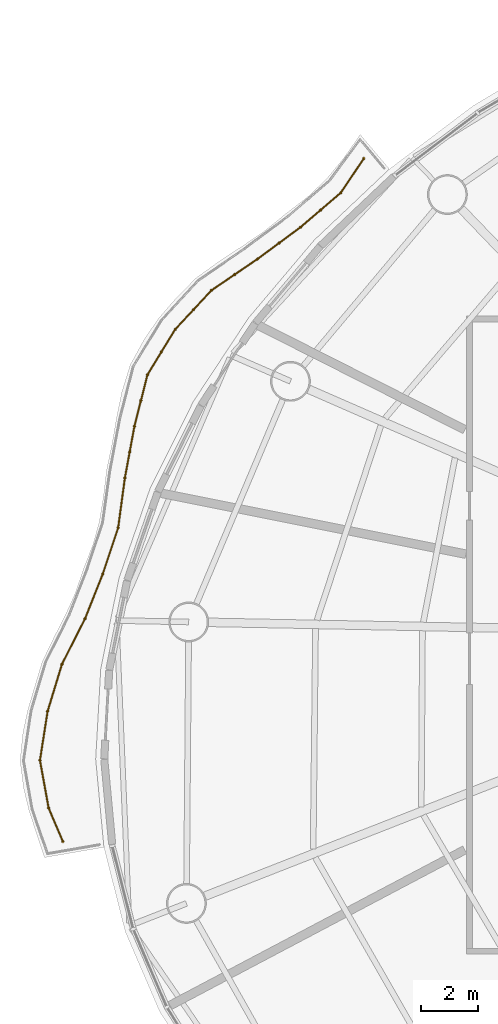
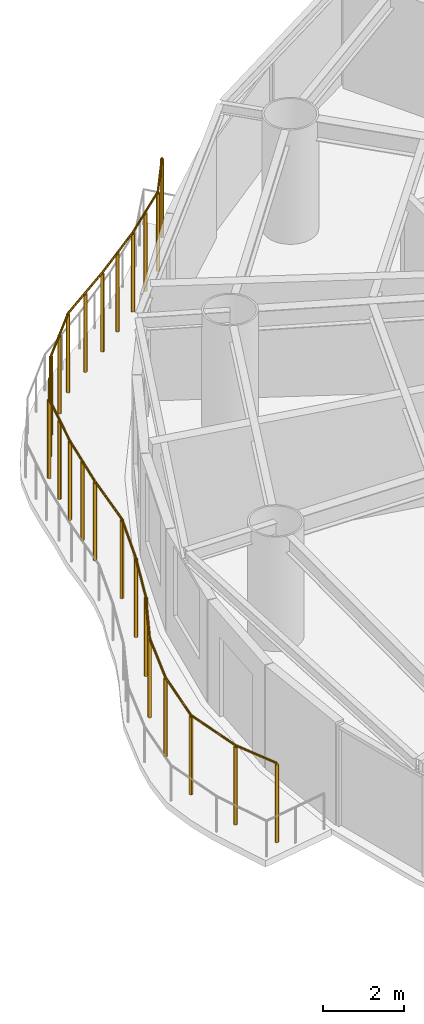
# One storey, part 13 of 16: 1 railing.
"""IFC4 building model written with IfcOpenShell, lengths in metres."""

from ifc_helpers import new_model, si_unit, direction, frame, origin, origin_2d, place, context, subcontext, project, spatial, circle, extrude, material, type_object, element, save


model = new_model("IFC4")

# Units and contexts
model_context = context("Model", 3, precision=1e-05, world=origin(), true_north=direction((0.0, 1.0)))
body_context = subcontext(model_context, "Body", "Model", "MODEL_VIEW")
ifc_project = project(units=[si_unit("LENGTHUNIT", "METRE"), si_unit("AREAUNIT", "SQUARE_METRE"), si_unit("VOLUMEUNIT", "CUBIC_METRE"), si_unit("PLANEANGLEUNIT", "RADIAN"), si_unit("MASSUNIT", "GRAM", prefix="KILO")], contexts=[model_context])

# Site, building, storey
site_placement = place(None, origin())
site = spatial("IfcSite", under=ifc_project, at=site_placement, CompositionType="ELEMENT")
building_placement = place(site_placement, origin())
building = spatial("IfcBuilding", under=site, at=building_placement, Name="Vermilion Reach Broadcast Tower", CompositionType="ELEMENT")
storey_placement = place(building_placement, frame((0.0, 0.0, 147.0)))
storey = spatial("IfcBuildingStorey", under=building, at=storey_placement, Name="L34", CompositionType="ELEMENT", Elevation=147.0)

# Railing
ifc_material = material(Name="Terracotta baguette", Category="masonry")
railing_type = type_object("IfcRailingType", Name="BAGUETTE SCREEN", PredefinedType="USERDEFINED", material=ifc_material)
railing_placement = place(storey_placement, frame((-23.8134765625, 16.731201171875, 0.0)))
element("IfcRailing", 1, at=railing_placement, inside=storey, type_object=railing_type, Name="Baguette screen L34 group 2", ObjectType="BAGUETTE SCREEN", PredefinedType="USERDEFINED", context=body_context, shape_type="SweptSolid", body=[
    extrude(circle(Radius=0.030029296875, at=origin_2d()), frame((0.0, 0.0, 2.369873046875), z_axis=(-0.55900443578, -0.829164664454, 0.0), x_axis=(0.829164664454, -0.55900443578, 0.0)), (0.0, 0.0, 1.0), 1.450439453125),
    extrude(circle(Radius=0.030029296875, at=origin_2d()), frame((-0.810791015625, -1.20263671875, 2.369873046875), z_axis=(-0.759822648084, -0.650130404964, 0.0), x_axis=(0.650130404964, -0.759822648084, 0.0)), (0.0, 0.0, 1.0), 1.856201171875),
    extrude(circle(Radius=0.030029296875, at=origin_2d()), frame((-2.22119140625, -2.409423828125, 2.369873046875), z_axis=(-0.804073345097, -0.594530113371, 0.0), x_axis=(0.594530113371, -0.804073345097, 0.0)), (0.0, 0.0, 1.0), 1.875732421875),
    extrude(circle(Radius=0.030029296875, at=origin_2d()), frame((-3.7294921875, -3.524658203125, 2.369873046875), z_axis=(-0.826787100128, -0.562514969634, 0.0), x_axis=(0.562514969634, -0.826787100128, 0.0)), (0.0, 0.0, 1.0), 1.954833984375),
    extrude(circle(Radius=0.030029296875, at=origin_2d()), frame((-5.345703125, -4.624267578125, 2.369873046875), z_axis=(-0.681155960553, -0.732138345809, 0.0), x_axis=(0.732138345809, -0.681155960553, 0.0)), (0.0, 0.0, 1.0), 1.872314453125),
    extrude(circle(Radius=0.030029296875, at=origin_2d()), frame((-6.62109375, -5.9951171875, 2.369873046875), z_axis=(-0.521286052609, -0.85338200787, 0.0), x_axis=(0.85338200787, -0.521286052609, 0.0)), (0.0, 0.0, 1.0), 1.8671875),
    extrude(circle(Radius=0.030029296875, at=origin_2d()), frame((-7.594482421875, -7.588623046875, 2.369873046875), z_axis=(-0.245241472629, -0.969462026127, 0.0), x_axis=(0.969462026127, -0.245241472629, 0.0)), (0.0, 0.0, 1.0), 1.86767578125),
    extrude(circle(Radius=0.030029296875, at=origin_2d()), frame((-8.052490234375, -9.399169921875, 2.369873046875), z_axis=(-0.18150611702, -0.98338981563, 0.0), x_axis=(0.98338981563, -0.18150611702, 0.0)), (0.0, 0.0, 1.0), 1.843994140625),
    extrude(circle(Radius=0.030029296875, at=origin_2d()), frame((-8.38720703125, -11.212646484375, 2.369873046875), z_axis=(-0.133822392907, -0.991005331548, 0.0), x_axis=(0.991005331548, -0.133822392907, 0.0)), (0.0, 0.0, 1.0), 1.76416015625),
    extrude(circle(Radius=0.030029296875, at=origin_2d()), frame((-8.623291015625, -12.9609375, 2.369873046875), z_axis=(-0.315927547537, -0.948783318101, 0.0), x_axis=(0.948783318101, -0.315927547537, 0.0)), (0.0, 0.0, 1.0), 1.707763671875),
    extrude(circle(Radius=0.030029296875, at=origin_2d()), frame((-9.162841796875, -14.581298828125, 2.369873046875), z_axis=(-0.368677315039, -0.929557441676, 0.0), x_axis=(0.929557441676, -0.368677315039, 0.0)), (0.0, 0.0, 1.0), 1.69189453125),
    extrude(circle(Radius=0.030029296875, at=origin_2d()), frame((-9.78662109375, -16.154052734375, 2.369873046875), z_axis=(-0.452450123585, -0.89178970933, 0.0), x_axis=(0.89178970933, -0.452450123585, 0.0)), (0.0, 0.0, 1.0), 1.78759765625),
    extrude(circle(Radius=0.030029296875, at=origin_2d()), frame((-10.595458984375, -17.748291015625, 2.369873046875), z_axis=(-0.291559721008, -0.956552627452, 0.0), x_axis=(0.956552627452, -0.291559721008, 0.0)), (0.0, 0.0, 1.0), 1.732421875),
    extrude(circle(Radius=0.030029296875, at=origin_2d()), frame((-11.1005859375, -19.405517578125, 2.369873046875), z_axis=(-0.154218492952, -0.988036768765, 0.0), x_axis=(0.988036768765, -0.154218492952, 0.0)), (0.0, 0.0, 1.0), 1.73974609375),
    extrude(circle(Radius=0.030029296875, at=origin_2d()), frame((-11.368896484375, -21.12451171875, 2.369873046875), z_axis=(0.178923256915, -0.983863033219, 0.0), x_axis=(0.983863033219, 0.178923256915, 0.0)), (0.0, 0.0, 1.0), 1.704345703125),
    extrude(circle(Radius=0.030029296875, at=origin_2d()), frame((-11.06396484375, -22.80126953125, 2.369873046875), z_axis=(0.392228818127, -0.919867683001, 0.0), x_axis=(0.919867683001, 0.392228818127, 0.0)), (0.0, 0.0, 1.0), 1.27294921875),
    extrude(circle(Radius=0.050048828125, at=origin_2d()), origin(), (0.0, 0.0, 1.0), 2.33984375),
    extrude(circle(Radius=0.050048828125, at=origin_2d()), frame((-0.810791015625, -1.20263671875, 0.0)), (0.0, 0.0, 1.0), 2.33984375),
    extrude(circle(Radius=0.050048828125, at=origin_2d()), frame((-1.51611328125, -1.80615234375, 0.0)), (0.0, 0.0, 1.0), 2.33984375),
    extrude(circle(Radius=0.050048828125, at=origin_2d()), frame((-2.22119140625, -2.409423828125, 0.0)), (0.0, 0.0, 1.0), 2.33984375),
    extrude(circle(Radius=0.050048828125, at=origin_2d()), frame((-2.975341796875, -2.967041015625, 0.0)), (0.0, 0.0, 1.0), 2.33984375),
    extrude(circle(Radius=0.050048828125, at=origin_2d()), frame((-3.7294921875, -3.524658203125, 0.0)), (0.0, 0.0, 1.0), 2.33984375),
    extrude(circle(Radius=0.050048828125, at=origin_2d()), frame((-4.53759765625, -4.074462890625, 0.0)), (0.0, 0.0, 1.0), 2.33984375),
    extrude(circle(Radius=0.050048828125, at=origin_2d()), frame((-5.345703125, -4.624267578125, 0.0)), (0.0, 0.0, 1.0), 2.33984375),
    extrude(circle(Radius=0.050048828125, at=origin_2d()), frame((-5.9833984375, -5.3095703125, 0.0)), (0.0, 0.0, 1.0), 2.33984375),
    extrude(circle(Radius=0.050048828125, at=origin_2d()), frame((-6.62109375, -5.9951171875, 0.0)), (0.0, 0.0, 1.0), 2.33984375),
    extrude(circle(Radius=0.050048828125, at=origin_2d()), frame((-7.10791015625, -6.7919921875, 0.0)), (0.0, 0.0, 1.0), 2.33984375),
    extrude(circle(Radius=0.050048828125, at=origin_2d()), frame((-7.594482421875, -7.588623046875, 0.0)), (0.0, 0.0, 1.0), 2.33984375),
    extrude(circle(Radius=0.050048828125, at=origin_2d()), frame((-7.823486328125, -8.493896484375, 0.0)), (0.0, 0.0, 1.0), 2.33984375),
    extrude(circle(Radius=0.050048828125, at=origin_2d()), frame((-8.052490234375, -9.399169921875, 0.0)), (0.0, 0.0, 1.0), 2.33984375),
    extrude(circle(Radius=0.050048828125, at=origin_2d()), frame((-8.2197265625, -10.305908203125, 0.0)), (0.0, 0.0, 1.0), 2.33984375),
    extrude(circle(Radius=0.050048828125, at=origin_2d()), frame((-8.38720703125, -11.212646484375, 0.0)), (0.0, 0.0, 1.0), 2.33984375),
    extrude(circle(Radius=0.050048828125, at=origin_2d()), frame((-8.623291015625, -12.9609375, 0.0)), (0.0, 0.0, 1.0), 2.33984375),
    extrude(circle(Radius=0.050048828125, at=origin_2d()), frame((-9.162841796875, -14.581298828125, 0.0)), (0.0, 0.0, 1.0), 2.33984375),
    extrude(circle(Radius=0.050048828125, at=origin_2d()), frame((-9.78662109375, -16.154052734375, 0.0)), (0.0, 0.0, 1.0), 2.33984375),
    extrude(circle(Radius=0.050048828125, at=origin_2d()), frame((-10.595458984375, -17.748291015625, 0.0)), (0.0, 0.0, 1.0), 2.33984375),
    extrude(circle(Radius=0.050048828125, at=origin_2d()), frame((-11.1005859375, -19.405517578125, 0.0)), (0.0, 0.0, 1.0), 2.33984375),
    extrude(circle(Radius=0.050048828125, at=origin_2d()), frame((-11.368896484375, -21.12451171875, 0.0)), (0.0, 0.0, 1.0), 2.33984375),
    extrude(circle(Radius=0.050048828125, at=origin_2d()), frame((-11.06396484375, -22.80126953125, 0.0)), (0.0, 0.0, 1.0), 2.33984375),
    extrude(circle(Radius=0.050048828125, at=origin_2d()), frame((-10.564697265625, -23.97216796875, 0.0)), (0.0, 0.0, 1.0), 2.33984375),
])

save(model, "model.ifc")
